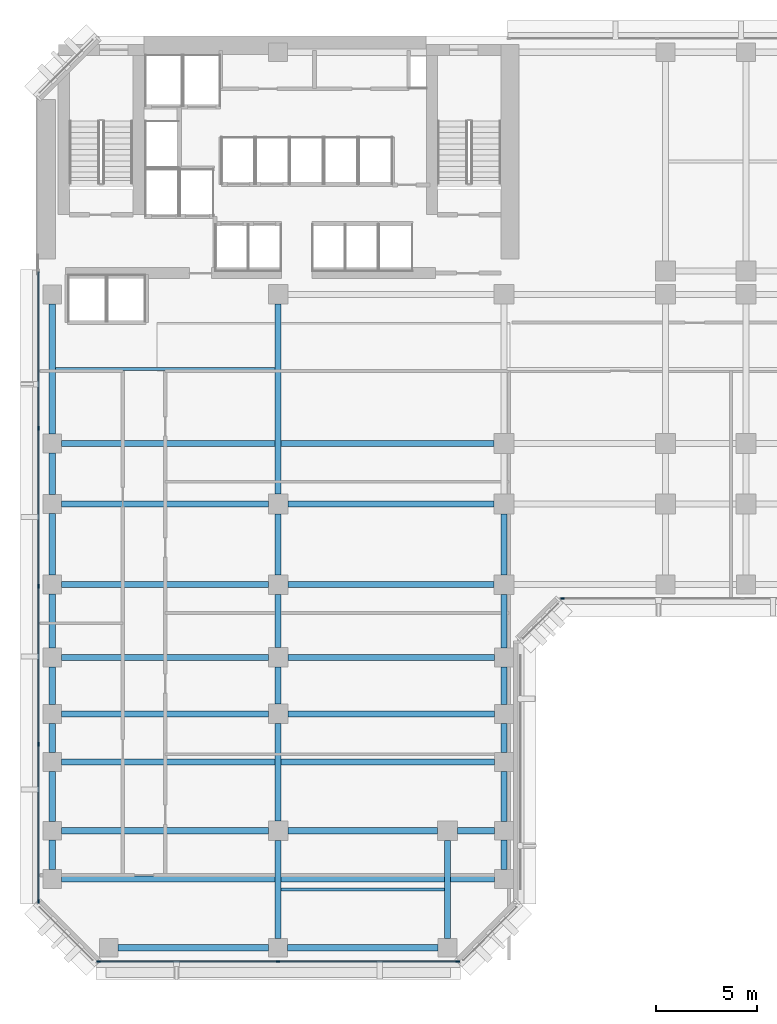
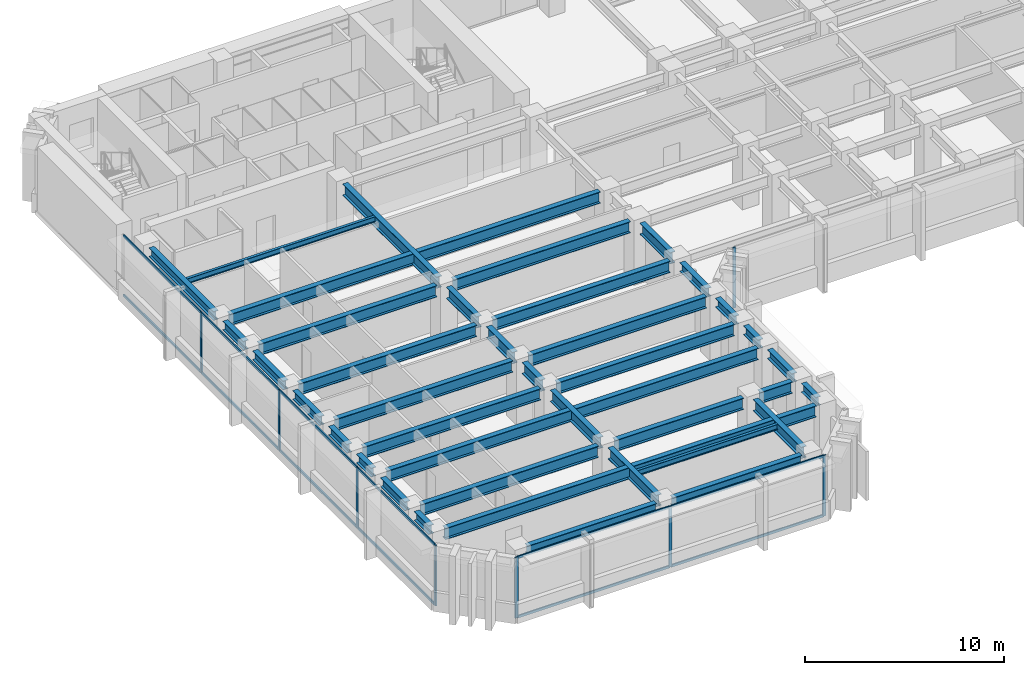
# One storey, part 2 of 13: 39 beams, 20 members, 3 elements without a shape of their own.
"""IFC4 building model written with IfcOpenShell, lengths in metres."""

from ifc_helpers import new_model, si_unit, direction, frame, origin, origin_2d, place, context, subcontext, project, spatial, rectangle, i_section, extrude, material, layer, layer_set, material_profile, profile_set, type_object, element, aggregate, save


model = new_model("IFC4")

# Units and contexts
model_context = context("Model", 3, precision=1e-05, world=origin(), true_north=direction((0.0, 1.0)))
body_context = subcontext(model_context, "Body", "Model", "MODEL_VIEW")
ifc_project = project(units=[si_unit("LENGTHUNIT", "METRE"), si_unit("AREAUNIT", "SQUARE_METRE"), si_unit("VOLUMEUNIT", "CUBIC_METRE"), si_unit("PLANEANGLEUNIT", "RADIAN"), si_unit("MASSUNIT", "GRAM", prefix="KILO")], contexts=[model_context])

# Site, building, storey
site_placement = place(None, origin())
site = spatial("IfcSite", under=ifc_project, at=site_placement, CompositionType="ELEMENT")
building_placement = place(site_placement, origin())
building = spatial("IfcBuilding", under=site, at=building_placement, Name="Kefirva Bronze Tower", CompositionType="ELEMENT")
storey_placement = place(building_placement, frame((0.0, 0.0, 30.360107421875)))
storey = spatial("IfcBuildingStorey", under=building, at=storey_placement, Name="L06", CompositionType="ELEMENT", Elevation=30.360107421875)

# Curtain wall, members
ifc_material_1 = material(Name="Bronze anodised aluminium", Category="aluminium")
ifc_layer = layer(ifc_material_1, 0.199951171875, Name="Bronze anodised aluminium")
ifc_layer_set = layer_set([ifc_layer], Name="Bronze anodised aluminium")
curtain_wall_type = type_object("IfcCurtainWallType", Name="Unitised Bronze Ribbon Curtain Wall Zone 1", PredefinedType="USERDEFINED", material=ifc_layer_set)
curtain_wall_1_placement = place(storey_placement, origin())
curtain_wall_1 = element("IfcCurtainWall", 1, at=curtain_wall_1_placement, inside=storey, type_object=curtain_wall_type, Name="L06 Curtain Wall 1", ObjectType="UNITISED CURTAIN WALL", PredefinedType="USERDEFINED")
ifc_material_profile_1 = material_profile(ifc_material_1, rectangle(XDim=0.074951171875, YDim=0.179931640625, at=origin_2d()), Name="ALU 75x180")
ifc_profile_set_1 = profile_set([ifc_material_profile_1], Name="Bronze anodised aluminium")
member_type_1 = type_object("IfcMemberType", Name="Bronze Mullion 75x180", PredefinedType="MULLION", material=ifc_profile_set_1)
member_1_placement = place(storey_placement, frame((3.092529296875, 0.1201171875, 0.0), z_axis=(0.0, 0.0, 1.0), x_axis=(0.0, 1.0, 0.0)))
member_1 = element("IfcMember", 2, at=member_1_placement, type_object=member_type_1, Name="CW-01 mullion 1", PredefinedType="MULLION", context=body_context, shape_type="SweptSolid", body=[
    extrude(rectangle(XDim=0.074951171875, YDim=0.179931640625, at=origin_2d()), origin(), (0.0, 0.0, 1.0), 3.7099609375),
])
member_2_placement = place(storey_placement, frame((12.0, 0.1201171875, 0.0), z_axis=(0.0, 0.0, 1.0), x_axis=(0.0, 1.0, 0.0)))
member_2 = element("IfcMember", 3, at=member_2_placement, type_object=member_type_1, Name="CW-01 mullion 2", PredefinedType="MULLION", context=body_context, shape_type="SweptSolid", body=[
    extrude(rectangle(XDim=0.074951171875, YDim=0.179931640625, at=origin_2d()), origin(), (0.0, 0.0, 1.0), 3.7099609375),
])
member_3_placement = place(storey_placement, frame((20.907470703125, 0.1201171875, 0.0), z_axis=(0.0, 0.0, 1.0), x_axis=(0.0, 1.0, 0.0)))
member_3 = element("IfcMember", 4, at=member_3_placement, type_object=member_type_1, Name="CW-01 mullion 3", PredefinedType="MULLION", context=body_context, shape_type="SweptSolid", body=[
    extrude(rectangle(XDim=0.074951171875, YDim=0.179931640625, at=origin_2d()), origin(), (0.0, 0.0, 1.0), 3.7099609375),
])

# Curtain wall, member
curtain_wall_2_placement = place(storey_placement, origin())
curtain_wall_2 = element("IfcCurtainWall", 5, at=curtain_wall_2_placement, inside=storey, type_object=curtain_wall_type, Name="L06 Curtain Wall 2", ObjectType="UNITISED CURTAIN WALL", PredefinedType="USERDEFINED")
member_4_placement = place(storey_placement, frame((26.092529296875, 18.1201171875, 0.0), z_axis=(0.0, 0.0, 1.0), x_axis=(0.0, 1.0, 0.0)))
member_4 = element("IfcMember", 6, at=member_4_placement, type_object=member_type_1, Name="CW-01 mullion 1", PredefinedType="MULLION", context=body_context, shape_type="SweptSolid", body=[
    extrude(rectangle(XDim=0.074951171875, YDim=0.179931640625, at=origin_2d()), origin(), (0.0, 0.0, 1.0), 3.7099609375),
])
aggregate(curtain_wall_2, [member_4])

# Curtain wall, members
curtain_wall_3_placement = place(storey_placement, origin())
curtain_wall_3 = element("IfcCurtainWall", 7, at=curtain_wall_3_placement, inside=storey, type_object=curtain_wall_type, Name="L06 Curtain Wall 4", ObjectType="UNITISED CURTAIN WALL", PredefinedType="USERDEFINED")
member_5_placement = place(storey_placement, frame((0.1201171875, 26.56005859375, 0.0), z_axis=(0.0, 0.0, 1.0), x_axis=(1.0, 0.0, 0.0)))
member_5 = element("IfcMember", 8, at=member_5_placement, type_object=member_type_1, Name="CW-01 mullion 2", PredefinedType="MULLION", context=body_context, shape_type="SweptSolid", body=[
    extrude(rectangle(XDim=0.074951171875, YDim=0.179931640625, at=origin_2d()), origin(), (0.0, 0.0, 1.0), 3.7099609375),
])
member_6_placement = place(storey_placement, frame((0.1201171875, 18.72509765625, 0.0), z_axis=(0.0, 0.0, 1.0), x_axis=(1.0, 0.0, 0.0)))
member_6 = element("IfcMember", 9, at=member_6_placement, type_object=member_type_1, Name="CW-01 mullion 3", PredefinedType="MULLION", context=body_context, shape_type="SweptSolid", body=[
    extrude(rectangle(XDim=0.074951171875, YDim=0.179931640625, at=origin_2d()), origin(), (0.0, 0.0, 1.0), 3.7099609375),
])
member_7_placement = place(storey_placement, frame((0.1201171875, 10.889892578125, 0.0), z_axis=(0.0, 0.0, 1.0), x_axis=(1.0, 0.0, 0.0)))
member_7 = element("IfcMember", 10, at=member_7_placement, type_object=member_type_1, Name="CW-01 mullion 4", PredefinedType="MULLION", context=body_context, shape_type="SweptSolid", body=[
    extrude(rectangle(XDim=0.074951171875, YDim=0.179931640625, at=origin_2d()), origin(), (0.0, 0.0, 1.0), 3.7099609375),
])
member_8_placement = place(storey_placement, frame((0.1201171875, 3.092529296875, 0.0), z_axis=(0.0, 0.0, 1.0), x_axis=(1.0, 0.0, 0.0)))
member_8 = element("IfcMember", 11, at=member_8_placement, type_object=member_type_1, Name="CW-01 mullion 5", PredefinedType="MULLION", context=body_context, shape_type="SweptSolid", body=[
    extrude(rectangle(XDim=0.074951171875, YDim=0.179931640625, at=origin_2d()), origin(), (0.0, 0.0, 1.0), 3.7099609375),
])

# Member
ifc_material_profile_2 = material_profile(ifc_material_1, rectangle(XDim=0.074951171875, YDim=0.14990234375, at=origin_2d()), Name="ALU 75x150")
ifc_profile_set_2 = profile_set([ifc_material_profile_2], Name="Bronze anodised aluminium")
member_type_2 = type_object("IfcMemberType", Name="Bronze Transom 75x150", PredefinedType="USERDEFINED", material=ifc_profile_set_2)
member_9_placement = place(storey_placement, frame((3.1298828125, 0.1201171875, 0.037353515625), z_axis=(1.0, 0.0, 0.0), x_axis=(0.0, 1.0, 0.0)))
member_9 = element("IfcMember", 12, at=member_9_placement, type_object=member_type_2, Name="CW-01 transom 1.1", ObjectType="TRANSOM", PredefinedType="USERDEFINED", context=body_context, shape_type="SweptSolid", body=[
    extrude(rectangle(XDim=0.074951171875, YDim=0.14990234375, at=origin_2d()), origin(), (0.0, 0.0, 1.0), 8.83251953125),
])

member_10_placement = place(storey_placement, frame((3.1298828125, 0.1201171875, 3.67236328125), z_axis=(1.0, 0.0, 0.0), x_axis=(0.0, 1.0, 0.0)))
member_10 = element("IfcMember", 13, at=member_10_placement, type_object=member_type_2, Name="CW-01 transom 1.2", ObjectType="TRANSOM", PredefinedType="USERDEFINED", context=body_context, shape_type="SweptSolid", body=[
    extrude(rectangle(XDim=0.074951171875, YDim=0.14990234375, at=origin_2d()), origin(), (0.0, 0.0, 1.0), 8.83251953125),
])

member_11_placement = place(storey_placement, frame((12.03759765625, 0.1201171875, 0.037353515625), z_axis=(1.0, 0.0, 0.0), x_axis=(0.0, 1.0, 0.0)))
member_11 = element("IfcMember", 14, at=member_11_placement, type_object=member_type_2, Name="CW-01 transom 2.1", ObjectType="TRANSOM", PredefinedType="USERDEFINED", context=body_context, shape_type="SweptSolid", body=[
    extrude(rectangle(XDim=0.074951171875, YDim=0.14990234375, at=origin_2d()), origin(), (0.0, 0.0, 1.0), 8.83251953125),
])

member_12_placement = place(storey_placement, frame((12.03759765625, 0.1201171875, 3.67236328125), z_axis=(1.0, 0.0, 0.0), x_axis=(0.0, 1.0, 0.0)))
member_12 = element("IfcMember", 15, at=member_12_placement, type_object=member_type_2, Name="CW-01 transom 2.2", ObjectType="TRANSOM", PredefinedType="USERDEFINED", context=body_context, shape_type="SweptSolid", body=[
    extrude(rectangle(XDim=0.074951171875, YDim=0.14990234375, at=origin_2d()), origin(), (0.0, 0.0, 1.0), 8.83251953125),
])

aggregate(curtain_wall_1, [member_1, member_2, member_3, member_9, member_10, member_11, member_12])

member_13_placement = place(storey_placement, frame((0.1201171875, 34.320068359375, 0.037353515625), z_axis=(0.0, -1.0, 0.0), x_axis=(1.0, 0.0, 0.0)))
member_13 = element("IfcMember", 16, at=member_13_placement, type_object=member_type_2, Name="CW-01 transom 1.1", ObjectType="TRANSOM", PredefinedType="USERDEFINED", context=body_context, shape_type="SweptSolid", body=[
    extrude(rectangle(XDim=0.074951171875, YDim=0.14990234375, at=origin_2d()), origin(), (0.0, 0.0, 1.0), 7.72265625),
])

member_14_placement = place(storey_placement, frame((0.1201171875, 34.320068359375, 3.67236328125), z_axis=(0.0, -1.0, 0.0), x_axis=(1.0, 0.0, 0.0)))
member_14 = element("IfcMember", 17, at=member_14_placement, type_object=member_type_2, Name="CW-01 transom 1.2", ObjectType="TRANSOM", PredefinedType="USERDEFINED", context=body_context, shape_type="SweptSolid", body=[
    extrude(rectangle(XDim=0.074951171875, YDim=0.14990234375, at=origin_2d()), origin(), (0.0, 0.0, 1.0), 7.72265625),
])

member_15_placement = place(storey_placement, frame((0.1201171875, 26.5224609375, 0.037353515625), z_axis=(0.0, -1.0, 0.0), x_axis=(1.0, 0.0, 0.0)))
member_15 = element("IfcMember", 18, at=member_15_placement, type_object=member_type_2, Name="CW-01 transom 2.1", ObjectType="TRANSOM", PredefinedType="USERDEFINED", context=body_context, shape_type="SweptSolid", body=[
    extrude(rectangle(XDim=0.074951171875, YDim=0.14990234375, at=origin_2d()), origin(), (0.0, 0.0, 1.0), 7.760009765625),
])

member_16_placement = place(storey_placement, frame((0.1201171875, 26.5224609375, 3.67236328125), z_axis=(0.0, -1.0, 0.0), x_axis=(1.0, 0.0, 0.0)))
member_16 = element("IfcMember", 19, at=member_16_placement, type_object=member_type_2, Name="CW-01 transom 2.2", ObjectType="TRANSOM", PredefinedType="USERDEFINED", context=body_context, shape_type="SweptSolid", body=[
    extrude(rectangle(XDim=0.074951171875, YDim=0.14990234375, at=origin_2d()), origin(), (0.0, 0.0, 1.0), 7.760009765625),
])

member_17_placement = place(storey_placement, frame((0.1201171875, 18.6875, 0.037353515625), z_axis=(0.0, -1.0, 0.0), x_axis=(1.0, 0.0, 0.0)))
member_17 = element("IfcMember", 20, at=member_17_placement, type_object=member_type_2, Name="CW-01 transom 3.1", ObjectType="TRANSOM", PredefinedType="USERDEFINED", context=body_context, shape_type="SweptSolid", body=[
    extrude(rectangle(XDim=0.074951171875, YDim=0.14990234375, at=origin_2d()), origin(), (0.0, 0.0, 1.0), 7.760009765625),
])

member_18_placement = place(storey_placement, frame((0.1201171875, 18.6875, 3.67236328125), z_axis=(0.0, -1.0, 0.0), x_axis=(1.0, 0.0, 0.0)))
member_18 = element("IfcMember", 21, at=member_18_placement, type_object=member_type_2, Name="CW-01 transom 3.2", ObjectType="TRANSOM", PredefinedType="USERDEFINED", context=body_context, shape_type="SweptSolid", body=[
    extrude(rectangle(XDim=0.074951171875, YDim=0.14990234375, at=origin_2d()), origin(), (0.0, 0.0, 1.0), 7.760009765625),
])

member_19_placement = place(storey_placement, frame((0.1201171875, 10.8525390625, 0.037353515625), z_axis=(0.0, -1.0, 0.0), x_axis=(1.0, 0.0, 0.0)))
member_19 = element("IfcMember", 22, at=member_19_placement, type_object=member_type_2, Name="CW-01 transom 4.1", ObjectType="TRANSOM", PredefinedType="USERDEFINED", context=body_context, shape_type="SweptSolid", body=[
    extrude(rectangle(XDim=0.074951171875, YDim=0.14990234375, at=origin_2d()), origin(), (0.0, 0.0, 1.0), 7.72265625),
])

member_20_placement = place(storey_placement, frame((0.1201171875, 10.8525390625, 3.67236328125), z_axis=(0.0, -1.0, 0.0), x_axis=(1.0, 0.0, 0.0)))
member_20 = element("IfcMember", 23, at=member_20_placement, type_object=member_type_2, Name="CW-01 transom 4.2", ObjectType="TRANSOM", PredefinedType="USERDEFINED", context=body_context, shape_type="SweptSolid", body=[
    extrude(rectangle(XDim=0.074951171875, YDim=0.14990234375, at=origin_2d()), origin(), (0.0, 0.0, 1.0), 7.72265625),
])

aggregate(curtain_wall_3, [member_5, member_6, member_7, member_8, member_13, member_14, member_15, member_16, member_17, member_18, member_19, member_20])

# Beams
ifc_material_2 = material(Name="Steel S355", Category="steel")
ifc_material_profile_3 = material_profile(ifc_material_2, i_section(OverallWidth=0.159912109375, OverallDepth=0.330078125, WebThickness=0.007568359375, FlangeThickness=0.011474609375, at=origin_2d()), Name="IPE 330")
ifc_profile_set_3 = profile_set([ifc_material_profile_3], Name="Steel S355")
beam_type_1 = type_object("IfcBeamType", Name="Steel Floor Joist IPE 330", PredefinedType="JOIST", material=ifc_profile_set_3)
beam_1_placement = place(storey_placement, frame((0.949951171875, 29.489990234375, 3.544921875), z_axis=(1.0, 0.0, 0.0), x_axis=(0.0, 1.0, 0.0)))
element("IfcBeam", 24, at=beam_1_placement, inside=storey, type_object=beam_type_1, Name="L06 JST-L06-0-294", PredefinedType="JOIST", context=body_context, shape_type="SweptSolid", body=[
    extrude(i_section(OverallWidth=0.159912109375, OverallDepth=0.330078125, WebThickness=0.007568359375, FlangeThickness=0.011474609375, at=origin_2d()), origin(), (0.0, 0.0, 1.0), 10.900146484375),
])
beam_2_placement = place(storey_placement, frame((12.14990234375, 3.68994140625, 3.544921875), z_axis=(1.0, 0.0, 0.0), x_axis=(0.0, 1.0, 0.0)))
element("IfcBeam", 25, at=beam_2_placement, inside=storey, type_object=beam_type_1, Name="L06 JST-L06-12-36", PredefinedType="JOIST", context=body_context, shape_type="SweptSolid", body=[
    extrude(i_section(OverallWidth=0.159912109375, OverallDepth=0.330078125, WebThickness=0.007568359375, FlangeThickness=0.011474609375, at=origin_2d()), origin(), (0.0, 0.0, 1.0), 8.10009765625),
])
ifc_material_profile_4 = material_profile(ifc_material_2, i_section(OverallWidth=0.300048828125, OverallDepth=0.699951171875, WebThickness=0.01708984375, FlangeThickness=0.031982421875, at=origin_2d()), Name="HEB 700")
ifc_profile_set_4 = profile_set([ifc_material_profile_4], Name="Steel S355")
beam_type_2 = type_object("IfcBeamType", Name="Steel Girder HEB 700", PredefinedType="USERDEFINED", material=ifc_profile_set_4)
beam_3_placement = place(storey_placement, frame((1.27001953125, 4.199951171875, 3.35986328125), z_axis=(1.0, 0.0, 0.0), x_axis=(0.0, 1.0, 0.0)))
element("IfcBeam", 26, at=beam_3_placement, inside=storey, type_object=beam_type_2, Name="L06 BM-L06-EW-0-42", ObjectType="GIRDER", PredefinedType="USERDEFINED", context=body_context, shape_type="SweptSolid", body=[
    extrude(i_section(OverallWidth=0.300048828125, OverallDepth=0.699951171875, WebThickness=0.01708984375, FlangeThickness=0.031982421875, at=origin_2d()), origin(), (0.0, 0.0, 1.0), 21.4599609375),
])
beam_4_placement = place(storey_placement, frame((1.27001953125, 6.60009765625, 3.35986328125), z_axis=(1.0, 0.0, 0.0), x_axis=(0.0, 1.0, 0.0)))
element("IfcBeam", 27, at=beam_4_placement, inside=storey, type_object=beam_type_2, Name="L06 BM-L06-EW-0-66", ObjectType="GIRDER", PredefinedType="USERDEFINED", context=body_context, shape_type="SweptSolid", body=[
    extrude(i_section(OverallWidth=0.300048828125, OverallDepth=0.699951171875, WebThickness=0.01708984375, FlangeThickness=0.031982421875, at=origin_2d()), origin(), (0.0, 0.0, 1.0), 10.239990234375),
])
beam_5_placement = place(storey_placement, frame((12.489990234375, 6.60009765625, 3.35986328125), z_axis=(1.0, 0.0, 0.0), x_axis=(0.0, 1.0, 0.0)))
element("IfcBeam", 28, at=beam_5_placement, inside=storey, type_object=beam_type_2, Name="L06 BM-L06-EW-12-66", ObjectType="GIRDER", PredefinedType="USERDEFINED", context=body_context, shape_type="SweptSolid", body=[
    extrude(i_section(OverallWidth=0.300048828125, OverallDepth=0.699951171875, WebThickness=0.01708984375, FlangeThickness=0.031982421875, at=origin_2d()), origin(), (0.0, 0.0, 1.0), 7.419921875),
])
beam_6_placement = place(storey_placement, frame((20.889892578125, 6.60009765625, 3.35986328125), z_axis=(1.0, 0.0, 0.0), x_axis=(0.0, 1.0, 0.0)))
element("IfcBeam", 29, at=beam_6_placement, inside=storey, type_object=beam_type_2, Name="L06 BM-L06-EW-20-66", ObjectType="GIRDER", PredefinedType="USERDEFINED", context=body_context, shape_type="SweptSolid", body=[
    extrude(i_section(OverallWidth=0.300048828125, OverallDepth=0.699951171875, WebThickness=0.01708984375, FlangeThickness=0.031982421875, at=origin_2d()), origin(), (0.0, 0.0, 1.0), 1.840087890625),
])
beam_7_placement = place(storey_placement, frame((1.27001953125, 10.0, 3.35986328125), z_axis=(1.0, 0.0, 0.0), x_axis=(0.0, 1.0, 0.0)))
element("IfcBeam", 30, at=beam_7_placement, inside=storey, type_object=beam_type_2, Name="L06 BM-L06-EW-0-100", ObjectType="GIRDER", PredefinedType="USERDEFINED", context=body_context, shape_type="SweptSolid", body=[
    extrude(i_section(OverallWidth=0.300048828125, OverallDepth=0.699951171875, WebThickness=0.01708984375, FlangeThickness=0.031982421875, at=origin_2d()), origin(), (0.0, 0.0, 1.0), 21.4599609375),
])
for number, where, z_axis, x_axis, name in (
    (31, (1.27001953125, 12.39990234375, 3.35986328125), (1.0, 0.0, 0.0), (0.0, 1.0, 0.0), "L06 BM-L06-EW-0-124"),
    (32, (12.489990234375, 12.39990234375, 3.35986328125), (1.0, 0.0, 0.0), (0.0, 1.0, 0.0), "L06 BM-L06-EW-12-124"),
    (33, (1.27001953125, 15.199951171875, 3.35986328125), (1.0, 0.0, 0.0), (0.0, 1.0, 0.0), "L06 BM-L06-EW-0-152"),
    (34, (12.489990234375, 15.199951171875, 3.35986328125), (1.0, 0.0, 0.0), (0.0, 1.0, 0.0), "L06 BM-L06-EW-12-152"),
    (35, (1.27001953125, 18.800048828125, 3.35986328125), (1.0, 0.0, 0.0), (0.0, 1.0, 0.0), "L06 BM-L06-EW-0-188"),
):
    element("IfcBeam", number, at=place(storey_placement, frame(where, z_axis=z_axis, x_axis=x_axis)), inside=storey, type_object=beam_type_2, Name=name, ObjectType="GIRDER", PredefinedType="USERDEFINED", context=body_context, shape_type="SweptSolid", body=[
        extrude(i_section(OverallWidth=0.300048828125, OverallDepth=0.699951171875, WebThickness=0.01708984375, FlangeThickness=0.031982421875, at=origin_2d()), origin(), (0.0, 0.0, 1.0), 10.239990234375),
    ])
beam_8_placement = place(storey_placement, frame((12.489990234375, 18.800048828125, 3.35986328125), z_axis=(1.0, 0.0, 0.0), x_axis=(0.0, 1.0, 0.0)))
element("IfcBeam", 36, at=beam_8_placement, inside=storey, type_object=beam_type_2, Name="L06 BM-L06-EW-12-188", ObjectType="GIRDER", PredefinedType="USERDEFINED", context=body_context, shape_type="SweptSolid", body=[
    extrude(i_section(OverallWidth=0.300048828125, OverallDepth=0.699951171875, WebThickness=0.01708984375, FlangeThickness=0.031982421875, at=origin_2d()), origin(), (0.0, 0.0, 1.0), 10.219970703125),
])
beam_9_placement = place(storey_placement, frame((1.27001953125, 22.800048828125, 3.35986328125), z_axis=(1.0, 0.0, 0.0), x_axis=(0.0, 1.0, 0.0)))
element("IfcBeam", 37, at=beam_9_placement, inside=storey, type_object=beam_type_2, Name="L06 BM-L06-EW-0-228", ObjectType="GIRDER", PredefinedType="USERDEFINED", context=body_context, shape_type="SweptSolid", body=[
    extrude(i_section(OverallWidth=0.300048828125, OverallDepth=0.699951171875, WebThickness=0.01708984375, FlangeThickness=0.031982421875, at=origin_2d()), origin(), (0.0, 0.0, 1.0), 10.239990234375),
])
beam_10_placement = place(storey_placement, frame((12.489990234375, 22.800048828125, 3.35986328125), z_axis=(1.0, 0.0, 0.0), x_axis=(0.0, 1.0, 0.0)))
element("IfcBeam", 38, at=beam_10_placement, inside=storey, type_object=beam_type_2, Name="L06 BM-L06-EW-12-228", ObjectType="GIRDER", PredefinedType="USERDEFINED", context=body_context, shape_type="SweptSolid", body=[
    extrude(i_section(OverallWidth=0.300048828125, OverallDepth=0.699951171875, WebThickness=0.01708984375, FlangeThickness=0.031982421875, at=origin_2d()), origin(), (0.0, 0.0, 1.0), 10.219970703125),
])
beam_11_placement = place(storey_placement, frame((1.27001953125, 25.800048828125, 3.35986328125), z_axis=(1.0, 0.0, 0.0), x_axis=(0.0, 1.0, 0.0)))
element("IfcBeam", 39, at=beam_11_placement, inside=storey, type_object=beam_type_2, Name="L06 BM-L06-EW-0-258", ObjectType="GIRDER", PredefinedType="USERDEFINED", context=body_context, shape_type="SweptSolid", body=[
    extrude(i_section(OverallWidth=0.300048828125, OverallDepth=0.699951171875, WebThickness=0.01708984375, FlangeThickness=0.031982421875, at=origin_2d()), origin(), (0.0, 0.0, 1.0), 21.43994140625),
])
beam_12_placement = place(storey_placement, frame((12.0, 1.27001953125, 3.35986328125), z_axis=(0.0, 1.0, 0.0), x_axis=(-1.0, 0.0, 0.0)))
element("IfcBeam", 40, at=beam_12_placement, inside=storey, type_object=beam_type_2, Name="L06 BM-L06-NS-120-0", ObjectType="GIRDER", PredefinedType="USERDEFINED", context=body_context, shape_type="SweptSolid", body=[
    extrude(i_section(OverallWidth=0.300048828125, OverallDepth=0.699951171875, WebThickness=0.01708984375, FlangeThickness=0.031982421875, at=origin_2d()), origin(), (0.0, 0.0, 1.0), 4.840087890625),
])
beam_13_placement = place(storey_placement, frame((12.0, 7.090087890625, 3.35986328125), z_axis=(0.0, 1.0, 0.0), x_axis=(-1.0, 0.0, 0.0)))
element("IfcBeam", 41, at=beam_13_placement, inside=storey, type_object=beam_type_2, Name="L06 BM-L06-NS-120-6", ObjectType="GIRDER", PredefinedType="USERDEFINED", context=body_context, shape_type="SweptSolid", body=[
    extrude(i_section(OverallWidth=0.300048828125, OverallDepth=0.699951171875, WebThickness=0.01708984375, FlangeThickness=0.031982421875, at=origin_2d()), origin(), (0.0, 0.0, 1.0), 4.81982421875),
])
beam_14_placement = place(storey_placement, frame((12.0, 12.889892578125, 3.35986328125), z_axis=(0.0, 1.0, 0.0), x_axis=(-1.0, 0.0, 0.0)))
element("IfcBeam", 42, at=beam_14_placement, inside=storey, type_object=beam_type_2, Name="L06 BM-L06-NS-120-12", ObjectType="GIRDER", PredefinedType="USERDEFINED", context=body_context, shape_type="SweptSolid", body=[
    extrude(i_section(OverallWidth=0.300048828125, OverallDepth=0.699951171875, WebThickness=0.01708984375, FlangeThickness=0.031982421875, at=origin_2d()), origin(), (0.0, 0.0, 1.0), 1.820068359375),
])
beam_15_placement = place(storey_placement, frame((12.0, 15.68994140625, 3.35986328125), z_axis=(0.0, 1.0, 0.0), x_axis=(-1.0, 0.0, 0.0)))
element("IfcBeam", 43, at=beam_15_placement, inside=storey, type_object=beam_type_2, Name="L06 BM-L06-NS-120-15", ObjectType="GIRDER", PredefinedType="USERDEFINED", context=body_context, shape_type="SweptSolid", body=[
    extrude(i_section(OverallWidth=0.300048828125, OverallDepth=0.699951171875, WebThickness=0.01708984375, FlangeThickness=0.031982421875, at=origin_2d()), origin(), (0.0, 0.0, 1.0), 2.6201171875),
])
beam_16_placement = place(storey_placement, frame((12.0, 19.2900390625, 3.35986328125), z_axis=(0.0, 1.0, 0.0), x_axis=(-1.0, 0.0, 0.0)))
element("IfcBeam", 44, at=beam_16_placement, inside=storey, type_object=beam_type_2, Name="L06 BM-L06-NS-120-18", ObjectType="GIRDER", PredefinedType="USERDEFINED", context=body_context, shape_type="SweptSolid", body=[
    extrude(i_section(OverallWidth=0.300048828125, OverallDepth=0.699951171875, WebThickness=0.01708984375, FlangeThickness=0.031982421875, at=origin_2d()), origin(), (0.0, 0.0, 1.0), 3.02001953125),
])
beam_17_placement = place(storey_placement, frame((12.0, 23.2900390625, 3.35986328125), z_axis=(0.0, 1.0, 0.0), x_axis=(-1.0, 0.0, 0.0)))
element("IfcBeam", 45, at=beam_17_placement, inside=storey, type_object=beam_type_2, Name="L06 BM-L06-NS-120-22", ObjectType="GIRDER", PredefinedType="USERDEFINED", context=body_context, shape_type="SweptSolid", body=[
    extrude(i_section(OverallWidth=0.300048828125, OverallDepth=0.699951171875, WebThickness=0.01708984375, FlangeThickness=0.031982421875, at=origin_2d()), origin(), (0.0, 0.0, 1.0), 9.419921875),
])
beam_18_placement = place(storey_placement, frame((20.39990234375, 1.27001953125, 3.35986328125), z_axis=(0.0, 1.0, 0.0), x_axis=(-1.0, 0.0, 0.0)))
element("IfcBeam", 46, at=beam_18_placement, inside=storey, type_object=beam_type_2, Name="L06 BM-L06-NS-204-0", ObjectType="GIRDER", PredefinedType="USERDEFINED", context=body_context, shape_type="SweptSolid", body=[
    extrude(i_section(OverallWidth=0.300048828125, OverallDepth=0.699951171875, WebThickness=0.01708984375, FlangeThickness=0.031982421875, at=origin_2d()), origin(), (0.0, 0.0, 1.0), 4.840087890625),
])
beam_19_placement = place(storey_placement, frame((23.199951171875, 19.2900390625, 3.35986328125), z_axis=(0.0, 1.0, 0.0), x_axis=(-1.0, 0.0, 0.0)))
element("IfcBeam", 47, at=beam_19_placement, inside=storey, type_object=beam_type_2, Name="L06 BM-L06-NS-232-18", ObjectType="GIRDER", PredefinedType="USERDEFINED", context=body_context, shape_type="SweptSolid", body=[
    extrude(i_section(OverallWidth=0.300048828125, OverallDepth=0.699951171875, WebThickness=0.01708984375, FlangeThickness=0.031982421875, at=origin_2d()), origin(), (0.0, 0.0, 1.0), 3.02001953125),
])
ifc_material_profile_5 = material_profile(ifc_material_2, i_section(OverallWidth=0.300048828125, OverallDepth=0.550048828125, WebThickness=0.014892578125, FlangeThickness=0.029052734375, at=origin_2d()), Name="HEB 550")
ifc_profile_set_5 = profile_set([ifc_material_profile_5], Name="Steel S355")
beam_type_3 = type_object("IfcBeamType", Name="Steel Spandrel HEB 550 Ext", PredefinedType="SPANDREL", material=ifc_profile_set_5)
for number, where, z_axis, x_axis, name in (
    (48, (4.070068359375, 0.800048828125, 3.434814453125), (1.0, 0.0, 0.0), (0.0, 1.0, 0.0), "L06 BM-L06-EW-3-8"),
    (49, (12.469970703125, 0.800048828125, 3.434814453125), (1.0, 0.0, 0.0), (0.0, 1.0, 0.0), "L06 BM-L06-EW-12-8"),
):
    element("IfcBeam", number, at=place(storey_placement, frame(where, z_axis=z_axis, x_axis=x_axis)), inside=storey, type_object=beam_type_3, Name=name, PredefinedType="SPANDREL", context=body_context, shape_type="SweptSolid", body=[
        extrude(i_section(OverallWidth=0.300048828125, OverallDepth=0.550048828125, WebThickness=0.014892578125, FlangeThickness=0.029052734375, at=origin_2d()), origin(), (0.0, 0.0, 1.0), 7.4599609375),
    ])
beam_20_placement = place(storey_placement, frame((0.800048828125, 4.669921875, 3.434814453125), z_axis=(0.0, 1.0, 0.0), x_axis=(-1.0, 0.0, 0.0)))
element("IfcBeam", 50, at=beam_20_placement, inside=storey, type_object=beam_type_3, Name="L06 BM-L06-NS-8-4", PredefinedType="SPANDREL", context=body_context, shape_type="SweptSolid", body=[
    extrude(i_section(OverallWidth=0.300048828125, OverallDepth=0.550048828125, WebThickness=0.014892578125, FlangeThickness=0.029052734375, at=origin_2d()), origin(), (0.0, 0.0, 1.0), 1.4599609375),
])
beam_21_placement = place(storey_placement, frame((0.800048828125, 7.070068359375, 3.434814453125), z_axis=(0.0, 1.0, 0.0), x_axis=(-1.0, 0.0, 0.0)))
element("IfcBeam", 51, at=beam_21_placement, inside=storey, type_object=beam_type_3, Name="L06 BM-L06-NS-8-6", PredefinedType="SPANDREL", context=body_context, shape_type="SweptSolid", body=[
    extrude(i_section(OverallWidth=0.300048828125, OverallDepth=0.550048828125, WebThickness=0.014892578125, FlangeThickness=0.029052734375, at=origin_2d()), origin(), (0.0, 0.0, 1.0), 2.4599609375),
])
beam_22_placement = place(storey_placement, frame((0.800048828125, 10.469970703125, 3.434814453125), z_axis=(0.0, 1.0, 0.0), x_axis=(-1.0, 0.0, 0.0)))
element("IfcBeam", 52, at=beam_22_placement, inside=storey, type_object=beam_type_3, Name="L06 BM-L06-NS-8-10", PredefinedType="SPANDREL", context=body_context, shape_type="SweptSolid", body=[
    extrude(i_section(OverallWidth=0.300048828125, OverallDepth=0.550048828125, WebThickness=0.014892578125, FlangeThickness=0.029052734375, at=origin_2d()), origin(), (0.0, 0.0, 1.0), 1.4599609375),
])
beam_23_placement = place(storey_placement, frame((0.800048828125, 12.8701171875, 3.434814453125), z_axis=(0.0, 1.0, 0.0), x_axis=(-1.0, 0.0, 0.0)))
element("IfcBeam", 53, at=beam_23_placement, inside=storey, type_object=beam_type_3, Name="L06 BM-L06-NS-8-12", PredefinedType="SPANDREL", context=body_context, shape_type="SweptSolid", body=[
    extrude(i_section(OverallWidth=0.300048828125, OverallDepth=0.550048828125, WebThickness=0.014892578125, FlangeThickness=0.029052734375, at=origin_2d()), origin(), (0.0, 0.0, 1.0), 1.85986328125),
])
beam_24_placement = place(storey_placement, frame((0.800048828125, 15.669921875, 3.434814453125), z_axis=(0.0, 1.0, 0.0), x_axis=(-1.0, 0.0, 0.0)))
element("IfcBeam", 54, at=beam_24_placement, inside=storey, type_object=beam_type_3, Name="L06 BM-L06-NS-8-15", PredefinedType="SPANDREL", context=body_context, shape_type="SweptSolid", body=[
    extrude(i_section(OverallWidth=0.300048828125, OverallDepth=0.550048828125, WebThickness=0.014892578125, FlangeThickness=0.029052734375, at=origin_2d()), origin(), (0.0, 0.0, 1.0), 2.66015625),
])
beam_25_placement = place(storey_placement, frame((0.800048828125, 19.27001953125, 3.434814453125), z_axis=(0.0, 1.0, 0.0), x_axis=(-1.0, 0.0, 0.0)))
element("IfcBeam", 55, at=beam_25_placement, inside=storey, type_object=beam_type_3, Name="L06 BM-L06-NS-8-18", PredefinedType="SPANDREL", context=body_context, shape_type="SweptSolid", body=[
    extrude(i_section(OverallWidth=0.300048828125, OverallDepth=0.550048828125, WebThickness=0.014892578125, FlangeThickness=0.029052734375, at=origin_2d()), origin(), (0.0, 0.0, 1.0), 3.06005859375),
])
beam_26_placement = place(storey_placement, frame((0.800048828125, 23.27001953125, 3.434814453125), z_axis=(0.0, 1.0, 0.0), x_axis=(-1.0, 0.0, 0.0)))
element("IfcBeam", 56, at=beam_26_placement, inside=storey, type_object=beam_type_3, Name="L06 BM-L06-NS-8-22", PredefinedType="SPANDREL", context=body_context, shape_type="SweptSolid", body=[
    extrude(i_section(OverallWidth=0.300048828125, OverallDepth=0.550048828125, WebThickness=0.014892578125, FlangeThickness=0.029052734375, at=origin_2d()), origin(), (0.0, 0.0, 1.0), 2.06005859375),
])
beam_27_placement = place(storey_placement, frame((0.800048828125, 26.27001953125, 3.434814453125), z_axis=(0.0, 1.0, 0.0), x_axis=(-1.0, 0.0, 0.0)))
element("IfcBeam", 57, at=beam_27_placement, inside=storey, type_object=beam_type_3, Name="L06 BM-L06-NS-8-25", PredefinedType="SPANDREL", context=body_context, shape_type="SweptSolid", body=[
    extrude(i_section(OverallWidth=0.300048828125, OverallDepth=0.550048828125, WebThickness=0.014892578125, FlangeThickness=0.029052734375, at=origin_2d()), origin(), (0.0, 0.0, 1.0), 6.4599609375),
])
beam_28_placement = place(storey_placement, frame((23.199951171875, 4.669921875, 3.434814453125), z_axis=(0.0, 1.0, 0.0), x_axis=(-1.0, 0.0, 0.0)))
element("IfcBeam", 58, at=beam_28_placement, inside=storey, type_object=beam_type_3, Name="L06 BM-L06-NS-232-4", PredefinedType="SPANDREL", context=body_context, shape_type="SweptSolid", body=[
    extrude(i_section(OverallWidth=0.300048828125, OverallDepth=0.550048828125, WebThickness=0.014892578125, FlangeThickness=0.029052734375, at=origin_2d()), origin(), (0.0, 0.0, 1.0), 1.4599609375),
])
beam_29_placement = place(storey_placement, frame((23.199951171875, 7.070068359375, 3.434814453125), z_axis=(0.0, 1.0, 0.0), x_axis=(-1.0, 0.0, 0.0)))
element("IfcBeam", 59, at=beam_29_placement, inside=storey, type_object=beam_type_3, Name="L06 BM-L06-NS-232-6", PredefinedType="SPANDREL", context=body_context, shape_type="SweptSolid", body=[
    extrude(i_section(OverallWidth=0.300048828125, OverallDepth=0.550048828125, WebThickness=0.014892578125, FlangeThickness=0.029052734375, at=origin_2d()), origin(), (0.0, 0.0, 1.0), 2.4599609375),
])
beam_30_placement = place(storey_placement, frame((23.199951171875, 10.469970703125, 3.434814453125), z_axis=(0.0, 1.0, 0.0), x_axis=(-1.0, 0.0, 0.0)))
element("IfcBeam", 60, at=beam_30_placement, inside=storey, type_object=beam_type_3, Name="L06 BM-L06-NS-232-10", PredefinedType="SPANDREL", context=body_context, shape_type="SweptSolid", body=[
    extrude(i_section(OverallWidth=0.300048828125, OverallDepth=0.550048828125, WebThickness=0.014892578125, FlangeThickness=0.029052734375, at=origin_2d()), origin(), (0.0, 0.0, 1.0), 1.4599609375),
])
beam_31_placement = place(storey_placement, frame((23.199951171875, 12.8701171875, 3.434814453125), z_axis=(0.0, 1.0, 0.0), x_axis=(-1.0, 0.0, 0.0)))
element("IfcBeam", 61, at=beam_31_placement, inside=storey, type_object=beam_type_3, Name="L06 BM-L06-NS-232-12", PredefinedType="SPANDREL", context=body_context, shape_type="SweptSolid", body=[
    extrude(i_section(OverallWidth=0.300048828125, OverallDepth=0.550048828125, WebThickness=0.014892578125, FlangeThickness=0.029052734375, at=origin_2d()), origin(), (0.0, 0.0, 1.0), 1.85986328125),
])
beam_32_placement = place(storey_placement, frame((23.199951171875, 15.669921875, 3.434814453125), z_axis=(0.0, 1.0, 0.0), x_axis=(-1.0, 0.0, 0.0)))
element("IfcBeam", 62, at=beam_32_placement, inside=storey, type_object=beam_type_3, Name="L06 BM-L06-NS-232-15", PredefinedType="SPANDREL", context=body_context, shape_type="SweptSolid", body=[
    extrude(i_section(OverallWidth=0.300048828125, OverallDepth=0.550048828125, WebThickness=0.014892578125, FlangeThickness=0.029052734375, at=origin_2d()), origin(), (0.0, 0.0, 1.0), 2.64013671875),
])

save(model, "model.ifc")
